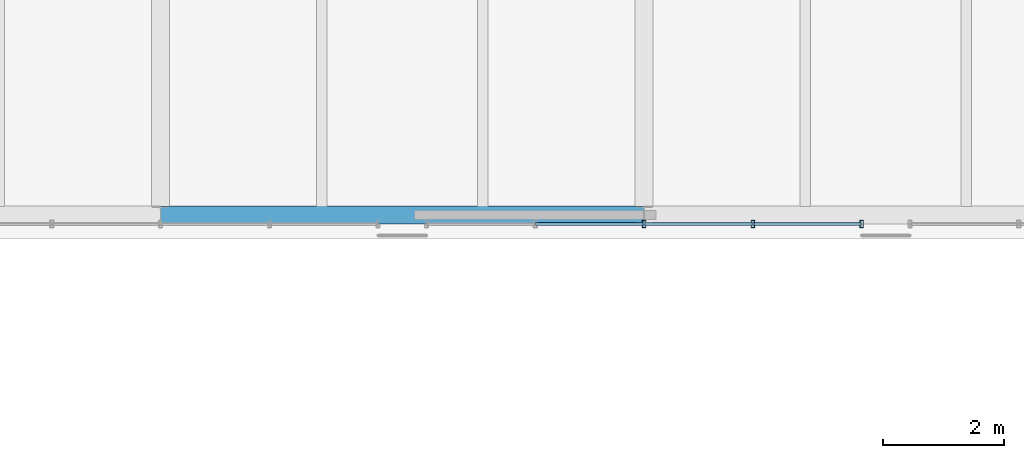
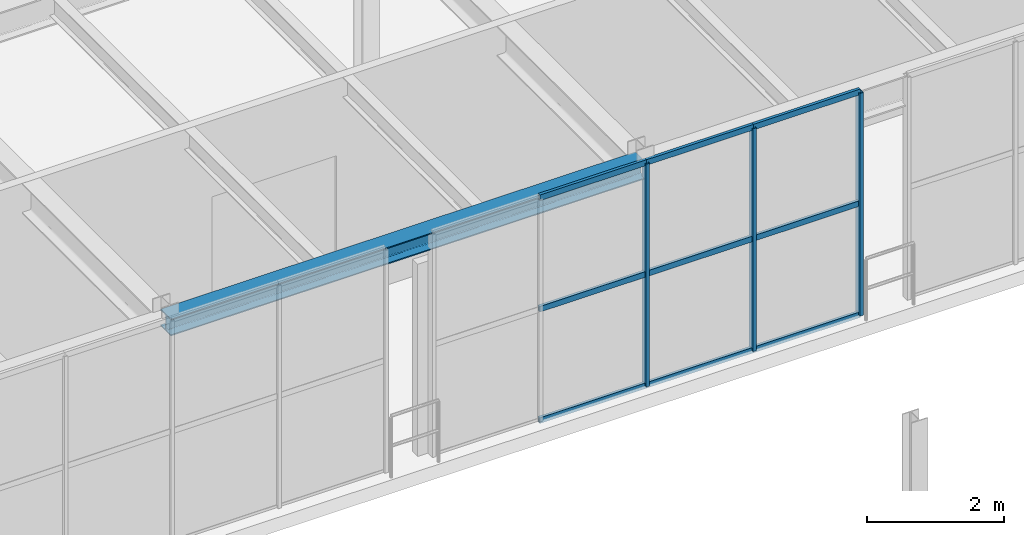
# One storey, part 45 of 122: 12 members, 1 beam, 1 element without a shape of its own.
"""IFC4 building model written with IfcOpenShell, lengths in metres."""

from ifc_helpers import new_model, si_unit, direction, frame, origin, origin_2d, place, context, subcontext, project, spatial, hollow_rectangle, i_section, extrude, material, material_profile, profile_set, type_object, element, aggregate, save


model = new_model("IFC4")

# Units and contexts
model_context = context("Model", 3, precision=1e-05, world=origin(), true_north=direction((0.0, 1.0)))
body_context = subcontext(model_context, "Body", "Model", "MODEL_VIEW")
ifc_project = project(units=[si_unit("LENGTHUNIT", "METRE"), si_unit("AREAUNIT", "SQUARE_METRE"), si_unit("VOLUMEUNIT", "CUBIC_METRE"), si_unit("PLANEANGLEUNIT", "RADIAN"), si_unit("MASSUNIT", "GRAM", prefix="KILO")], contexts=[model_context])

# Site, building, storey
site_placement = place(None, origin())
site = spatial("IfcSite", under=ifc_project, at=site_placement, CompositionType="ELEMENT")
building_placement = place(site_placement, origin())
building = spatial("IfcBuilding", under=site, at=building_placement, Name="Sundkrona Museum", CompositionType="ELEMENT")
storey_placement = place(building_placement, frame((0.0, 0.0, 5.39990234375)))
storey = spatial("IfcBuildingStorey", under=building, at=storey_placement, Name="L01", CompositionType="ELEMENT", Elevation=5.39990234375)

# Beam
ifc_material_1 = material(Name="Steel S355J2", Category="steel")
ifc_material_profile_1 = material_profile(ifc_material_1, i_section(OverallWidth=0.300048828125, OverallDepth=0.300048828125, WebThickness=0.010986328125, FlangeThickness=0.01904296875, FilletRadius=0.027099609375, at=origin_2d()), Name="HEB 300")
ifc_profile_set_1 = profile_set([ifc_material_profile_1], Name="Steel S355J2")
beam_type = type_object("IfcBeamType", Name="B-HEB300", PredefinedType="BEAM", material=ifc_profile_set_1)
beam_placement = place(storey_placement, frame((24.0, 94.0, 3.81005859375), z_axis=(1.0, 0.0, 0.0), x_axis=(0.0, 1.0, 0.0)))
element("IfcBeam", 1, at=beam_placement, inside=storey, type_object=beam_type, Name="L01 Girder X-0909", PredefinedType="BEAM", context=body_context, shape_type="SweptSolid", body=[
    extrude(i_section(OverallWidth=0.300048828125, OverallDepth=0.300048828125, WebThickness=0.010986328125, FlangeThickness=0.01904296875, FilletRadius=0.027099609375, at=origin_2d()), origin(), (0.0, 0.0, 1.0), 8.0),
])

# Curtain wall, members
ifc_material_2 = material(Name="Unitised Aluminium-Steel and Ceramic-Clad Curtain Walling", Category="steel")
curtain_wall_type = type_object("IfcCurtainWallType", Name="CW-CL-64x38", PredefinedType="NOTDEFINED", material=ifc_material_2)
curtain_wall_placement = place(storey_placement, origin())
curtain_wall = element("IfcCurtainWall", 2, at=curtain_wall_placement, inside=storey, type_object=curtain_wall_type, Name="L01 Curtain Wall CW-L01-127", PredefinedType="NOTDEFINED")
ifc_material_3 = material(Name="Aluminium EN AW-6060 T66", Category="aluminium")
ifc_material_profile_2 = material_profile(ifc_material_3, hollow_rectangle(XDim=0.06005859375, YDim=0.1201171875, WallThickness=0.0048828125, at=origin_2d()), Name="RHS 120x60x5.0")
ifc_profile_set_2 = profile_set([ifc_material_profile_2], Name="Aluminium EN AW-6060 T66")
member_type_1 = type_object("IfcMemberType", Name="ML-120", PredefinedType="MULLION", material=ifc_profile_set_2)
member_1_placement = place(storey_placement, frame((32.0, 93.85009765625, -0.00390625), z_axis=(0.0, 0.0, 1.0), x_axis=(1.0, 0.0, 0.0)))
member_1 = element("IfcMember", 3, at=member_1_placement, type_object=member_type_1, Name="CW-L01-127 Mullion 03", PredefinedType="MULLION", context=body_context, shape_type="SweptSolid", body=[
    extrude(hollow_rectangle(XDim=0.06005859375, YDim=0.1201171875, WallThickness=0.0048828125, at=origin_2d()), origin(), (0.0, 0.0, 1.0), 3.968017578125),
])
member_2_placement = place(storey_placement, frame((33.800048828125, 93.85009765625, -0.00390625), z_axis=(0.0, 0.0, 1.0), x_axis=(1.0, 0.0, 0.0)))
member_2 = element("IfcMember", 4, at=member_2_placement, type_object=member_type_1, Name="CW-L01-127 Mullion 04", PredefinedType="MULLION", context=body_context, shape_type="SweptSolid", body=[
    extrude(hollow_rectangle(XDim=0.06005859375, YDim=0.1201171875, WallThickness=0.0048828125, at=origin_2d()), origin(), (0.0, 0.0, 1.0), 3.968017578125),
])
member_3_placement = place(storey_placement, frame((35.60009765625, 93.85009765625, -0.00390625), z_axis=(0.0, 0.0, 1.0), x_axis=(1.0, 0.0, 0.0)))
member_3 = element("IfcMember", 5, at=member_3_placement, type_object=member_type_1, Name="CW-L01-127 Mullion 05", PredefinedType="MULLION", context=body_context, shape_type="SweptSolid", body=[
    extrude(hollow_rectangle(XDim=0.06005859375, YDim=0.1201171875, WallThickness=0.0048828125, at=origin_2d()), origin(), (0.0, 0.0, 1.0), 3.968017578125),
])
ifc_material_profile_3 = material_profile(ifc_material_3, hollow_rectangle(XDim=0.050048828125, YDim=0.10009765625, WallThickness=0.0048828125, at=origin_2d()), Name="RHS 100x50x5.0")
ifc_profile_set_3 = profile_set([ifc_material_profile_3], Name="Aluminium EN AW-6060 T66")
member_type_2 = type_object("IfcMemberType", Name="TR-100", PredefinedType="USERDEFINED", material=ifc_profile_set_3)
member_4_placement = place(storey_placement, frame((30.199951171875, 93.85009765625, -0.00390625), z_axis=(1.0, 0.0, 0.0), x_axis=(0.0, 1.0, 0.0)))
member_4 = element("IfcMember", 6, at=member_4_placement, type_object=member_type_2, Name="CW-L01-127 Transom 04", ObjectType="TRANSOM", PredefinedType="USERDEFINED", context=body_context, shape_type="SweptSolid", body=[
    extrude(hollow_rectangle(XDim=0.050048828125, YDim=0.10009765625, WallThickness=0.0048828125, at=origin_2d()), origin(), (0.0, 0.0, 1.0), 1.800048828125),
])
member_5_placement = place(storey_placement, frame((30.199951171875, 93.85009765625, 1.97998046875), z_axis=(1.0, 0.0, 0.0), x_axis=(0.0, 1.0, 0.0)))
member_5 = element("IfcMember", 7, at=member_5_placement, type_object=member_type_2, Name="CW-L01-127 Transom 05", ObjectType="TRANSOM", PredefinedType="USERDEFINED", context=body_context, shape_type="SweptSolid", body=[
    extrude(hollow_rectangle(XDim=0.050048828125, YDim=0.10009765625, WallThickness=0.0048828125, at=origin_2d()), origin(), (0.0, 0.0, 1.0), 1.800048828125),
])
member_6_placement = place(storey_placement, frame((30.199951171875, 93.85009765625, 3.964111328125), z_axis=(1.0, 0.0, 0.0), x_axis=(0.0, 1.0, 0.0)))
member_6 = element("IfcMember", 8, at=member_6_placement, type_object=member_type_2, Name="CW-L01-127 Transom 06", ObjectType="TRANSOM", PredefinedType="USERDEFINED", context=body_context, shape_type="SweptSolid", body=[
    extrude(hollow_rectangle(XDim=0.050048828125, YDim=0.10009765625, WallThickness=0.0048828125, at=origin_2d()), origin(), (0.0, 0.0, 1.0), 1.800048828125),
])
member_7_placement = place(storey_placement, frame((32.0, 93.85009765625, -0.00390625), z_axis=(1.0, 0.0, 0.0), x_axis=(0.0, 1.0, 0.0)))
member_7 = element("IfcMember", 9, at=member_7_placement, type_object=member_type_2, Name="CW-L01-127 Transom 07", ObjectType="TRANSOM", PredefinedType="USERDEFINED", context=body_context, shape_type="SweptSolid", body=[
    extrude(hollow_rectangle(XDim=0.050048828125, YDim=0.10009765625, WallThickness=0.0048828125, at=origin_2d()), origin(), (0.0, 0.0, 1.0), 1.800048828125),
])
member_8_placement = place(storey_placement, frame((32.0, 93.85009765625, 1.97998046875), z_axis=(1.0, 0.0, 0.0), x_axis=(0.0, 1.0, 0.0)))
member_8 = element("IfcMember", 10, at=member_8_placement, type_object=member_type_2, Name="CW-L01-127 Transom 08", ObjectType="TRANSOM", PredefinedType="USERDEFINED", context=body_context, shape_type="SweptSolid", body=[
    extrude(hollow_rectangle(XDim=0.050048828125, YDim=0.10009765625, WallThickness=0.0048828125, at=origin_2d()), origin(), (0.0, 0.0, 1.0), 1.800048828125),
])
member_9_placement = place(storey_placement, frame((32.0, 93.85009765625, 3.964111328125), z_axis=(1.0, 0.0, 0.0), x_axis=(0.0, 1.0, 0.0)))
member_9 = element("IfcMember", 11, at=member_9_placement, type_object=member_type_2, Name="CW-L01-127 Transom 09", ObjectType="TRANSOM", PredefinedType="USERDEFINED", context=body_context, shape_type="SweptSolid", body=[
    extrude(hollow_rectangle(XDim=0.050048828125, YDim=0.10009765625, WallThickness=0.0048828125, at=origin_2d()), origin(), (0.0, 0.0, 1.0), 1.800048828125),
])
member_10_placement = place(storey_placement, frame((33.800048828125, 93.85009765625, -0.00390625), z_axis=(1.0, 0.0, 0.0), x_axis=(0.0, 1.0, 0.0)))
member_10 = element("IfcMember", 12, at=member_10_placement, type_object=member_type_2, Name="CW-L01-127 Transom 10", ObjectType="TRANSOM", PredefinedType="USERDEFINED", context=body_context, shape_type="SweptSolid", body=[
    extrude(hollow_rectangle(XDim=0.050048828125, YDim=0.10009765625, WallThickness=0.0048828125, at=origin_2d()), origin(), (0.0, 0.0, 1.0), 1.800048828125),
])
member_11_placement = place(storey_placement, frame((33.800048828125, 93.85009765625, 1.97998046875), z_axis=(1.0, 0.0, 0.0), x_axis=(0.0, 1.0, 0.0)))
member_11 = element("IfcMember", 13, at=member_11_placement, type_object=member_type_2, Name="CW-L01-127 Transom 11", ObjectType="TRANSOM", PredefinedType="USERDEFINED", context=body_context, shape_type="SweptSolid", body=[
    extrude(hollow_rectangle(XDim=0.050048828125, YDim=0.10009765625, WallThickness=0.0048828125, at=origin_2d()), origin(), (0.0, 0.0, 1.0), 1.800048828125),
])
member_12_placement = place(storey_placement, frame((33.800048828125, 93.85009765625, 3.964111328125), z_axis=(1.0, 0.0, 0.0), x_axis=(0.0, 1.0, 0.0)))
member_12 = element("IfcMember", 14, at=member_12_placement, type_object=member_type_2, Name="CW-L01-127 Transom 12", ObjectType="TRANSOM", PredefinedType="USERDEFINED", context=body_context, shape_type="SweptSolid", body=[
    extrude(hollow_rectangle(XDim=0.050048828125, YDim=0.10009765625, WallThickness=0.0048828125, at=origin_2d()), origin(), (0.0, 0.0, 1.0), 1.800048828125),
])
aggregate(curtain_wall, [member_1, member_2, member_3, member_4, member_5, member_6, member_7, member_8, member_9, member_10, member_11, member_12])

save(model, "model.ifc")
